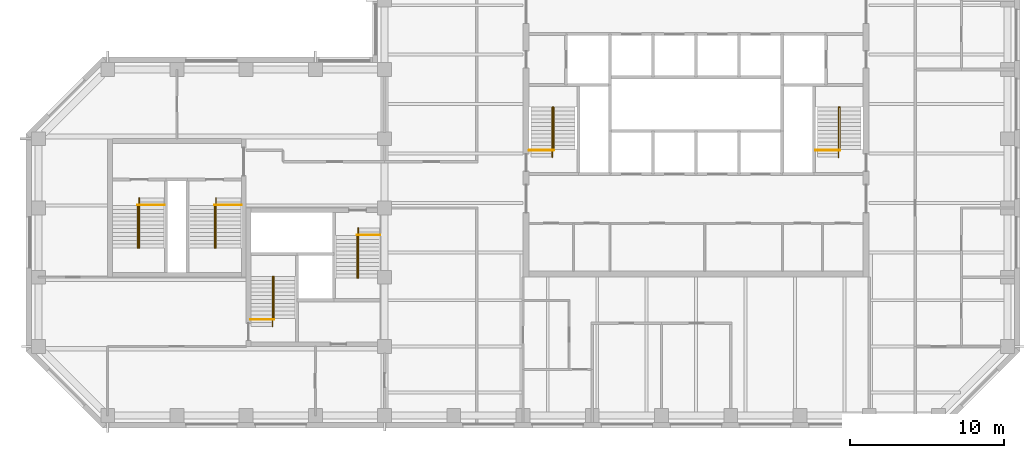
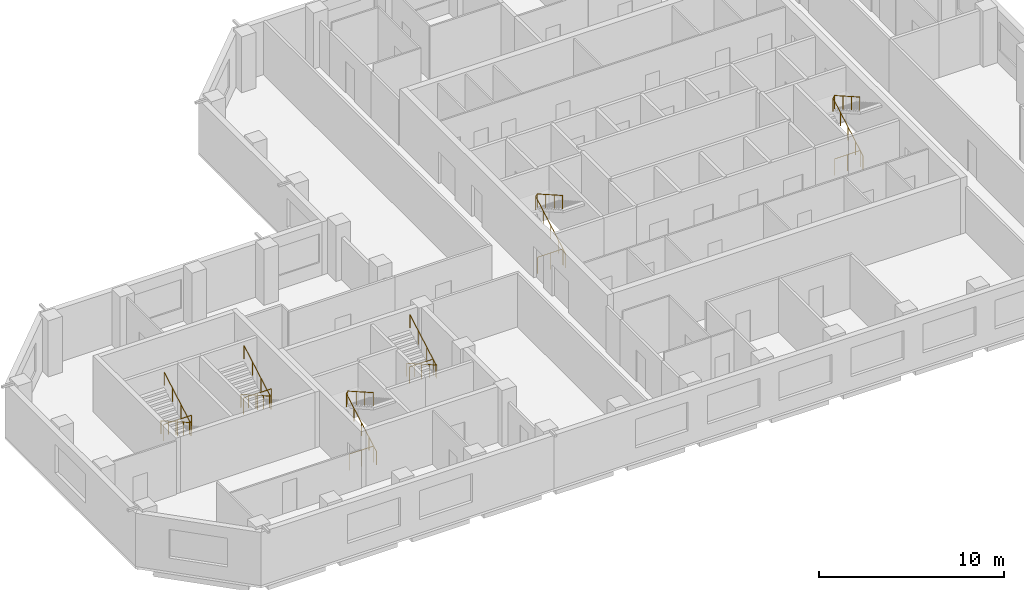
# One storey, part 9 of 9: 12 railings.
"""IFC4 building model written with IfcOpenShell, lengths in metres."""

from ifc_helpers import new_model, si_unit, direction, frame, origin, origin_2d, place, context, subcontext, project, spatial, circle, extrude, material, type_object, element, save


model = new_model("IFC4")

# Units and contexts
model_context = context("Model", 3, precision=1e-05, world=origin(), true_north=direction((0.0, 1.0)))
body_context = subcontext(model_context, "Body", "Model", "MODEL_VIEW")
ifc_project = project(units=[si_unit("LENGTHUNIT", "METRE"), si_unit("AREAUNIT", "SQUARE_METRE"), si_unit("VOLUMEUNIT", "CUBIC_METRE"), si_unit("PLANEANGLEUNIT", "RADIAN"), si_unit("MASSUNIT", "GRAM", prefix="KILO")], contexts=[model_context])

# Site, building, storey
site_placement = place(None, origin())
site = spatial("IfcSite", under=ifc_project, at=site_placement, CompositionType="ELEMENT")
building_placement = place(site_placement, origin())
building = spatial("IfcBuilding", under=site, at=building_placement, Name="Quoin Convention Tower", CompositionType="ELEMENT")
storey_placement = place(building_placement, frame((0.0, 0.0, 245.199951171875)))
storey = spatial("IfcBuildingStorey", under=building, at=storey_placement, Name="L64", CompositionType="ELEMENT", Elevation=245.199951171875)

# Railings
ifc_material = material(Name="Stainless steel", Category="steel")
railing_type_1 = type_object("IfcRailingType", Name="Stair handrail 900", PredefinedType="HANDRAIL", material=ifc_material)
railing_1_placement = place(storey_placement, frame((46.905029296875, 57.300048828125, 0.142333984375)))
element("IfcRailing", 1, at=railing_1_placement, inside=storey, type_object=railing_type_1, Name="SD1 handrail 1", PredefinedType="HANDRAIL", context=body_context, shape_type="SweptSolid", body=[
    extrude(circle(Radius=0.02392578125, at=origin_2d()), frame((0.0, 0.0, 0.8759765625), z_axis=(0.0, 0.869053504361, 0.494718108177), x_axis=(-1.0, 0.0, 0.0)), (0.0, 0.0, 1.0), 3.73974609375),
    extrude(circle(Radius=0.02392578125, at=origin_2d()), frame((0.0, 3.25, 2.72607421875), z_axis=(0.53481069233, 0.0, 0.844971906852), x_axis=(0.0, 1.0, 0.0)), (0.0, 0.0, 1.0), 0.16845703125),
    extrude(circle(Radius=0.02392578125, at=origin_2d()), frame((0.090087890625, 3.25, 2.8681640625), z_axis=(0.0, -0.869091777644, 0.494650868828), x_axis=(1.0, 0.0, 0.0)), (0.0, 0.0, 1.0), 3.164306640625),
    extrude(circle(Radius=0.02099609375, at=origin_2d()), origin(), (0.0, 0.0, 1.0), 0.851806640625),
    extrude(circle(Radius=0.02099609375, at=origin_2d()), frame((0.0, 0.8125, 0.46240234375)), (0.0, 0.0, 1.0), 0.851806640625),
    extrude(circle(Radius=0.02099609375, at=origin_2d()), frame((0.0, 1.625, 0.925048828125)), (0.0, 0.0, 1.0), 0.851806640625),
    extrude(circle(Radius=0.02099609375, at=origin_2d()), frame((0.0, 2.4375, 1.3876953125)), (0.0, 0.0, 1.0), 0.851806640625),
    extrude(circle(Radius=0.02099609375, at=origin_2d()), frame((0.0, 3.25, 1.85009765625)), (0.0, 0.0, 1.0), 0.851806640625),
    extrude(circle(Radius=0.02099609375, at=origin_2d()), frame((0.090087890625, 3.25, 1.992431640625)), (0.0, 0.0, 1.0), 0.851806640625),
    extrude(circle(Radius=0.02099609375, at=origin_2d()), frame((0.090087890625, 2.333251953125, 2.51416015625)), (0.0, 0.0, 1.0), 0.851806640625),
    extrude(circle(Radius=0.02099609375, at=origin_2d()), frame((0.090087890625, 1.416748046875, 3.035888671875)), (0.0, 0.0, 1.0), 0.851806640625),
    extrude(circle(Radius=0.02099609375, at=origin_2d()), frame((0.090087890625, 0.5, 3.5576171875)), (0.0, 0.0, 1.0), 0.851806640625),
])
railing_2_placement = place(storey_placement, frame((65.5048828125, 57.300048828125, 0.142333984375)))
element("IfcRailing", 2, at=railing_2_placement, inside=storey, type_object=railing_type_1, Name="SD2 handrail 1", PredefinedType="HANDRAIL", context=body_context, shape_type="SweptSolid", body=[
    extrude(circle(Radius=0.02392578125, at=origin_2d()), frame((0.0, 0.0, 0.8759765625), z_axis=(0.0, 0.869053504361, 0.494718108177), x_axis=(-1.0, 0.0, 0.0)), (0.0, 0.0, 1.0), 3.73974609375),
    extrude(circle(Radius=0.02392578125, at=origin_2d()), frame((0.0, 3.25, 2.72607421875), z_axis=(0.53481069233, 0.0, 0.844971906852), x_axis=(0.0, 1.0, 0.0)), (0.0, 0.0, 1.0), 0.16845703125),
    extrude(circle(Radius=0.02392578125, at=origin_2d()), frame((0.090087890625, 3.25, 2.8681640625), z_axis=(0.0, -0.869091777644, 0.494650868828), x_axis=(1.0, 0.0, 0.0)), (0.0, 0.0, 1.0), 3.164306640625),
    extrude(circle(Radius=0.02099609375, at=origin_2d()), origin(), (0.0, 0.0, 1.0), 0.851806640625),
    extrude(circle(Radius=0.02099609375, at=origin_2d()), frame((0.0, 0.8125, 0.46240234375)), (0.0, 0.0, 1.0), 0.851806640625),
    extrude(circle(Radius=0.02099609375, at=origin_2d()), frame((0.0, 1.625, 0.925048828125)), (0.0, 0.0, 1.0), 0.851806640625),
    extrude(circle(Radius=0.02099609375, at=origin_2d()), frame((0.0, 2.4375, 1.3876953125)), (0.0, 0.0, 1.0), 0.851806640625),
    extrude(circle(Radius=0.02099609375, at=origin_2d()), frame((0.0, 3.25, 1.85009765625)), (0.0, 0.0, 1.0), 0.851806640625),
    extrude(circle(Radius=0.02099609375, at=origin_2d()), frame((0.090087890625, 3.25, 1.992431640625)), (0.0, 0.0, 1.0), 0.851806640625),
    extrude(circle(Radius=0.02099609375, at=origin_2d()), frame((0.090087890625, 2.333251953125, 2.51416015625)), (0.0, 0.0, 1.0), 0.851806640625),
    extrude(circle(Radius=0.02099609375, at=origin_2d()), frame((0.090087890625, 1.416748046875, 3.035888671875)), (0.0, 0.0, 1.0), 0.851806640625),
    extrude(circle(Radius=0.02099609375, at=origin_2d()), frame((0.090087890625, 0.5, 3.5576171875)), (0.0, 0.0, 1.0), 0.851806640625),
])
railing_3_placement = place(storey_placement, frame((28.705078125, 46.300048828125, 0.142333984375)))
element("IfcRailing", 3, at=railing_3_placement, inside=storey, type_object=railing_type_1, Name="SD3 handrail 1", PredefinedType="HANDRAIL", context=body_context, shape_type="SweptSolid", body=[
    extrude(circle(Radius=0.02392578125, at=origin_2d()), frame((0.0, 0.0, 0.8759765625), z_axis=(0.0, 0.869053504361, 0.494718108177), x_axis=(-1.0, 0.0, 0.0)), (0.0, 0.0, 1.0), 3.73974609375),
    extrude(circle(Radius=0.02392578125, at=origin_2d()), frame((0.0, 3.25, 2.72607421875), z_axis=(0.533774684331, 0.0, 0.845626741753), x_axis=(0.0, 1.0, 0.0)), (0.0, 0.0, 1.0), 0.168212890625),
    extrude(circle(Radius=0.02392578125, at=origin_2d()), frame((0.08984375, 3.25, 2.8681640625), z_axis=(0.0, -0.869091777644, 0.494650868828), x_axis=(1.0, 0.0, 0.0)), (0.0, 0.0, 1.0), 3.164306640625),
    extrude(circle(Radius=0.02099609375, at=origin_2d()), origin(), (0.0, 0.0, 1.0), 0.851806640625),
    extrude(circle(Radius=0.02099609375, at=origin_2d()), frame((0.0, 0.8125, 0.46240234375)), (0.0, 0.0, 1.0), 0.851806640625),
    extrude(circle(Radius=0.02099609375, at=origin_2d()), frame((0.0, 1.625, 0.925048828125)), (0.0, 0.0, 1.0), 0.851806640625),
    extrude(circle(Radius=0.02099609375, at=origin_2d()), frame((0.0, 2.4375, 1.3876953125)), (0.0, 0.0, 1.0), 0.851806640625),
    extrude(circle(Radius=0.02099609375, at=origin_2d()), frame((0.0, 3.25, 1.85009765625)), (0.0, 0.0, 1.0), 0.851806640625),
    extrude(circle(Radius=0.02099609375, at=origin_2d()), frame((0.08984375, 3.25, 1.992431640625)), (0.0, 0.0, 1.0), 0.851806640625),
    extrude(circle(Radius=0.02099609375, at=origin_2d()), frame((0.08984375, 2.333251953125, 2.51416015625)), (0.0, 0.0, 1.0), 0.851806640625),
    extrude(circle(Radius=0.02099609375, at=origin_2d()), frame((0.08984375, 1.416748046875, 3.035888671875)), (0.0, 0.0, 1.0), 0.851806640625),
    extrude(circle(Radius=0.02099609375, at=origin_2d()), frame((0.08984375, 0.5, 3.5576171875)), (0.0, 0.0, 1.0), 0.851806640625),
])
railing_4_placement = place(storey_placement, frame((34.294921875, 52.699951171875, 0.142333984375)))
element("IfcRailing", 4, at=railing_4_placement, inside=storey, type_object=railing_type_1, Name="SD4 handrail 1", PredefinedType="HANDRAIL", context=body_context, shape_type="SweptSolid", body=[
    extrude(circle(Radius=0.02392578125, at=origin_2d()), frame((0.0, 0.0, 0.8759765625), z_axis=(0.0, -0.869053504361, 0.494718108177), x_axis=(1.0, 0.0, 0.0)), (0.0, 0.0, 1.0), 3.73974609375),
    extrude(circle(Radius=0.02392578125, at=origin_2d()), frame((0.0, -3.25, 2.72607421875), z_axis=(-0.533774684331, 0.0, 0.845626741753), x_axis=(0.0, -1.0, 0.0)), (0.0, 0.0, 1.0), 0.168212890625),
    extrude(circle(Radius=0.02392578125, at=origin_2d()), frame((-0.08984375, -3.25, 2.8681640625), z_axis=(0.0, 0.869091777644, 0.494650868828), x_axis=(-1.0, 0.0, 0.0)), (0.0, 0.0, 1.0), 3.164306640625),
    extrude(circle(Radius=0.02099609375, at=origin_2d()), origin(), (0.0, 0.0, 1.0), 0.851806640625),
    extrude(circle(Radius=0.02099609375, at=origin_2d()), frame((0.0, -0.8125, 0.46240234375)), (0.0, 0.0, 1.0), 0.851806640625),
    extrude(circle(Radius=0.02099609375, at=origin_2d()), frame((0.0, -1.625, 0.925048828125)), (0.0, 0.0, 1.0), 0.851806640625),
    extrude(circle(Radius=0.02099609375, at=origin_2d()), frame((0.0, -2.4375, 1.3876953125)), (0.0, 0.0, 1.0), 0.851806640625),
    extrude(circle(Radius=0.02099609375, at=origin_2d()), frame((0.0, -3.25, 1.85009765625)), (0.0, 0.0, 1.0), 0.851806640625),
    extrude(circle(Radius=0.02099609375, at=origin_2d()), frame((-0.08984375, -3.25, 1.992431640625)), (0.0, 0.0, 1.0), 0.851806640625),
    extrude(circle(Radius=0.02099609375, at=origin_2d()), frame((-0.08984375, -2.333251953125, 2.51416015625)), (0.0, 0.0, 1.0), 0.851806640625),
    extrude(circle(Radius=0.02099609375, at=origin_2d()), frame((-0.08984375, -1.416748046875, 3.035888671875)), (0.0, 0.0, 1.0), 0.851806640625),
    extrude(circle(Radius=0.02099609375, at=origin_2d()), frame((-0.08984375, -0.5, 3.5576171875)), (0.0, 0.0, 1.0), 0.851806640625),
])
railing_5_placement = place(storey_placement, frame((20.044921875, 54.64990234375, 0.142333984375)))
element("IfcRailing", 5, at=railing_5_placement, inside=storey, type_object=railing_type_1, Name="SD11 handrail 1", PredefinedType="HANDRAIL", context=body_context, shape_type="SweptSolid", body=[
    extrude(circle(Radius=0.02392578125, at=origin_2d()), frame((0.0, 0.0, 0.8759765625), z_axis=(0.0, -0.869053504361, 0.494718108177), x_axis=(1.0, 0.0, 0.0)), (0.0, 0.0, 1.0), 3.73974609375),
    extrude(circle(Radius=0.02392578125, at=origin_2d()), frame((0.0, -3.25, 2.72607421875), z_axis=(-0.533774684331, 0.0, 0.845626741753), x_axis=(0.0, -1.0, 0.0)), (0.0, 0.0, 1.0), 0.168212890625),
    extrude(circle(Radius=0.02392578125, at=origin_2d()), frame((-0.08984375, -3.25, 2.8681640625), z_axis=(0.0, 0.869091777644, 0.494650868828), x_axis=(-1.0, 0.0, 0.0)), (0.0, 0.0, 1.0), 3.164306640625),
    extrude(circle(Radius=0.02099609375, at=origin_2d()), origin(), (0.0, 0.0, 1.0), 0.851806640625),
    extrude(circle(Radius=0.02099609375, at=origin_2d()), frame((0.0, -0.8125, 0.46240234375)), (0.0, 0.0, 1.0), 0.851806640625),
    extrude(circle(Radius=0.02099609375, at=origin_2d()), frame((0.0, -1.625, 0.925048828125)), (0.0, 0.0, 1.0), 0.851806640625),
    extrude(circle(Radius=0.02099609375, at=origin_2d()), frame((0.0, -2.4375, 1.3876953125)), (0.0, 0.0, 1.0), 0.851806640625),
    extrude(circle(Radius=0.02099609375, at=origin_2d()), frame((0.0, -3.25, 1.85009765625)), (0.0, 0.0, 1.0), 0.851806640625),
    extrude(circle(Radius=0.02099609375, at=origin_2d()), frame((-0.08984375, -3.25, 1.992431640625)), (0.0, 0.0, 1.0), 0.851806640625),
    extrude(circle(Radius=0.02099609375, at=origin_2d()), frame((-0.08984375, -2.333251953125, 2.51416015625)), (0.0, 0.0, 1.0), 0.851806640625),
    extrude(circle(Radius=0.02099609375, at=origin_2d()), frame((-0.08984375, -1.416748046875, 3.035888671875)), (0.0, 0.0, 1.0), 0.851806640625),
    extrude(circle(Radius=0.02099609375, at=origin_2d()), frame((-0.08984375, -0.5, 3.5576171875)), (0.0, 0.0, 1.0), 0.851806640625),
])
railing_6_placement = place(storey_placement, frame((25.044921875, 54.64990234375, 0.142333984375)))
element("IfcRailing", 6, at=railing_6_placement, inside=storey, type_object=railing_type_1, Name="SD12 handrail 1", PredefinedType="HANDRAIL", context=body_context, shape_type="SweptSolid", body=[
    extrude(circle(Radius=0.02392578125, at=origin_2d()), frame((0.0, 0.0, 0.8759765625), z_axis=(0.0, -0.869053504361, 0.494718108177), x_axis=(1.0, 0.0, 0.0)), (0.0, 0.0, 1.0), 3.73974609375),
    extrude(circle(Radius=0.02392578125, at=origin_2d()), frame((0.0, -3.25, 2.72607421875), z_axis=(-0.533774684331, 0.0, 0.845626741753), x_axis=(0.0, -1.0, 0.0)), (0.0, 0.0, 1.0), 0.168212890625),
    extrude(circle(Radius=0.02392578125, at=origin_2d()), frame((-0.08984375, -3.25, 2.8681640625), z_axis=(0.0, 0.869091777644, 0.494650868828), x_axis=(-1.0, 0.0, 0.0)), (0.0, 0.0, 1.0), 3.164306640625),
    extrude(circle(Radius=0.02099609375, at=origin_2d()), origin(), (0.0, 0.0, 1.0), 0.851806640625),
    extrude(circle(Radius=0.02099609375, at=origin_2d()), frame((0.0, -0.8125, 0.46240234375)), (0.0, 0.0, 1.0), 0.851806640625),
    extrude(circle(Radius=0.02099609375, at=origin_2d()), frame((0.0, -1.625, 0.925048828125)), (0.0, 0.0, 1.0), 0.851806640625),
    extrude(circle(Radius=0.02099609375, at=origin_2d()), frame((0.0, -2.4375, 1.3876953125)), (0.0, 0.0, 1.0), 0.851806640625),
    extrude(circle(Radius=0.02099609375, at=origin_2d()), frame((0.0, -3.25, 1.85009765625)), (0.0, 0.0, 1.0), 0.851806640625),
    extrude(circle(Radius=0.02099609375, at=origin_2d()), frame((-0.08984375, -3.25, 1.992431640625)), (0.0, 0.0, 1.0), 0.851806640625),
    extrude(circle(Radius=0.02099609375, at=origin_2d()), frame((-0.08984375, -2.333251953125, 2.51416015625)), (0.0, 0.0, 1.0), 0.851806640625),
    extrude(circle(Radius=0.02099609375, at=origin_2d()), frame((-0.08984375, -1.416748046875, 3.035888671875)), (0.0, 0.0, 1.0), 0.851806640625),
    extrude(circle(Radius=0.02099609375, at=origin_2d()), frame((-0.08984375, -0.5, 3.5576171875)), (0.0, 0.0, 1.0), 0.851806640625),
])
railing_type_2 = type_object("IfcRailingType", Name="Stair top guard 1100", PredefinedType="GUARDRAIL", material=ifc_material)
railing_7_placement = place(storey_placement, frame((45.39990234375, 57.75, 0.0)))
element("IfcRailing", 7, at=railing_7_placement, inside=storey, type_object=railing_type_2, Name="SD1 top guard", PredefinedType="GUARDRAIL", context=body_context, shape_type="SweptSolid", body=[
    extrude(circle(Radius=0.02392578125, at=origin_2d()), frame((0.0, 0.0, 1.076171875), z_axis=(1.0, 0.0, 0.0), x_axis=(0.0, 1.0, 0.0)), (0.0, 0.0, 1.0), 1.59521484375),
    extrude(circle(Radius=0.02099609375, at=origin_2d()), origin(), (0.0, 0.0, 1.0), 1.052001953125),
    extrude(circle(Radius=0.02099609375, at=origin_2d()), frame((0.797607421875, 0.0, 0.0)), (0.0, 0.0, 1.0), 1.052001953125),
    extrude(circle(Radius=0.02099609375, at=origin_2d()), frame((1.59521484375, 0.0, 0.0)), (0.0, 0.0, 1.0), 1.052001953125),
])
railing_8_placement = place(storey_placement, frame((64.0, 57.75, 0.0)))
element("IfcRailing", 8, at=railing_8_placement, inside=storey, type_object=railing_type_2, Name="SD2 top guard", PredefinedType="GUARDRAIL", context=body_context, shape_type="SweptSolid", body=[
    extrude(circle(Radius=0.02392578125, at=origin_2d()), frame((0.0, 0.0, 1.076171875), z_axis=(1.0, 0.0, 0.0), x_axis=(0.0, 1.0, 0.0)), (0.0, 0.0, 1.0), 1.594970703125),
    extrude(circle(Radius=0.02099609375, at=origin_2d()), origin(), (0.0, 0.0, 1.0), 1.052001953125),
    extrude(circle(Radius=0.02099609375, at=origin_2d()), frame((0.79736328125, 0.0, 0.0)), (0.0, 0.0, 1.0), 1.052001953125),
    extrude(circle(Radius=0.02099609375, at=origin_2d()), frame((1.594970703125, 0.0, 0.0)), (0.0, 0.0, 1.0), 1.052001953125),
])
railing_9_placement = place(storey_placement, frame((27.300048828125, 46.75, 0.0)))
element("IfcRailing", 9, at=railing_9_placement, inside=storey, type_object=railing_type_2, Name="SD3 top guard", PredefinedType="GUARDRAIL", context=body_context, shape_type="SweptSolid", body=[
    extrude(circle(Radius=0.02392578125, at=origin_2d()), frame((0.0, 0.0, 1.076171875), z_axis=(1.0, 0.0, 0.0), x_axis=(0.0, 1.0, 0.0)), (0.0, 0.0, 1.0), 1.494873046875),
    extrude(circle(Radius=0.02099609375, at=origin_2d()), origin(), (0.0, 0.0, 1.0), 1.052001953125),
    extrude(circle(Radius=0.02099609375, at=origin_2d()), frame((0.74755859375, 0.0, 0.0)), (0.0, 0.0, 1.0), 1.052001953125),
    extrude(circle(Radius=0.02099609375, at=origin_2d()), frame((1.494873046875, 0.0, 0.0)), (0.0, 0.0, 1.0), 1.052001953125),
])
railing_10_placement = place(storey_placement, frame((35.699951171875, 52.25, 0.0)))
element("IfcRailing", 10, at=railing_10_placement, inside=storey, type_object=railing_type_2, Name="SD4 top guard", PredefinedType="GUARDRAIL", context=body_context, shape_type="SweptSolid", body=[
    extrude(circle(Radius=0.02392578125, at=origin_2d()), frame((0.0, 0.0, 1.076171875), z_axis=(-1.0, 0.0, 0.0), x_axis=(0.0, -1.0, 0.0)), (0.0, 0.0, 1.0), 1.494873046875),
    extrude(circle(Radius=0.02099609375, at=origin_2d()), origin(), (0.0, 0.0, 1.0), 1.052001953125),
    extrude(circle(Radius=0.02099609375, at=origin_2d()), frame((-0.74755859375, 0.0, 0.0)), (0.0, 0.0, 1.0), 1.052001953125),
    extrude(circle(Radius=0.02099609375, at=origin_2d()), frame((-1.494873046875, 0.0, 0.0)), (0.0, 0.0, 1.0), 1.052001953125),
])
for number, where, name in (
    (11, (21.699951171875, 54.199951171875, 0.0), "SD11 top guard"),
    (12, (26.699951171875, 54.199951171875, 0.0), "SD12 top guard"),
):
    element("IfcRailing", number, at=place(storey_placement, frame(where)), inside=storey, type_object=railing_type_2, Name=name, PredefinedType="GUARDRAIL", context=body_context, shape_type="SweptSolid", body=[
        extrude(circle(Radius=0.02392578125, at=origin_2d()), frame((0.0, 0.0, 1.076171875), z_axis=(-1.0, 0.0, 0.0), x_axis=(0.0, -1.0, 0.0)), (0.0, 0.0, 1.0), 1.744873046875),
        extrude(circle(Radius=0.02099609375, at=origin_2d()), origin(), (0.0, 0.0, 1.0), 1.052001953125),
        extrude(circle(Radius=0.02099609375, at=origin_2d()), frame((-0.87255859375, 0.0, 0.0)), (0.0, 0.0, 1.0), 1.052001953125),
        extrude(circle(Radius=0.02099609375, at=origin_2d()), frame((-1.744873046875, 0.0, 0.0)), (0.0, 0.0, 1.0), 1.052001953125),
    ])

save(model, "model.ifc")
